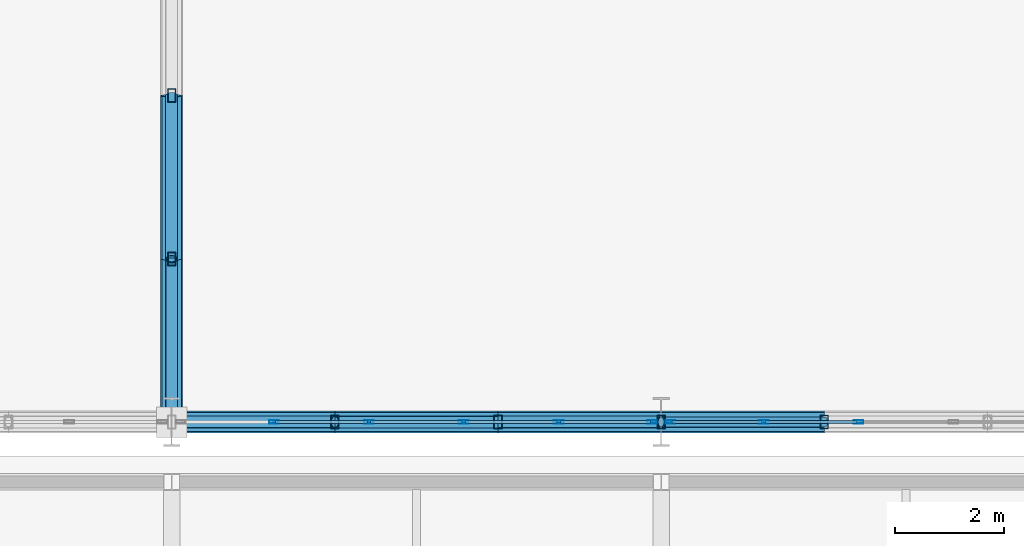
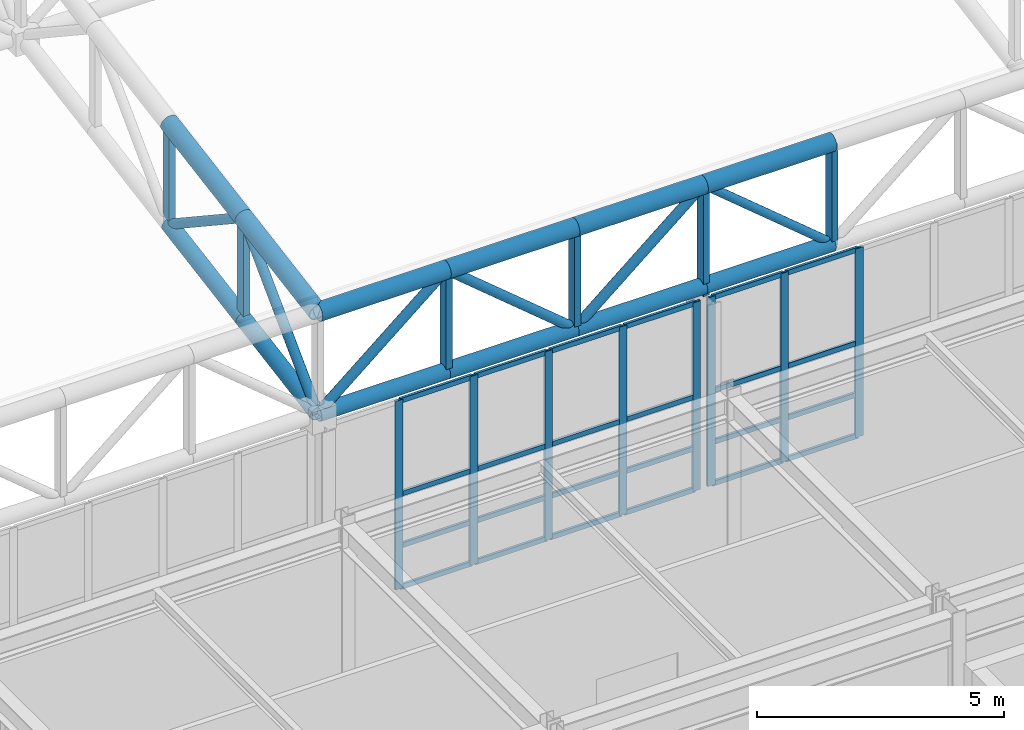
# One storey, part 35 of 239: 56 members, 2 elements without a shape of their own.
"""IFC4 building model written with IfcOpenShell, lengths in metres."""

from ifc_helpers import new_model, si_unit, direction, frame, origin, origin_2d, place, context, subcontext, project, spatial, hollow_rectangle, hollow_circle, extrude, material, material_profile, profile_set, type_object, element, aggregate, save


model = new_model("IFC4")

# Units and contexts
model_context = context("Model", 3, precision=1e-05, world=origin(), true_north=direction((0.0, 1.0)))
body_context = subcontext(model_context, "Body", "Model", "MODEL_VIEW")
ifc_project = project(units=[si_unit("LENGTHUNIT", "METRE"), si_unit("AREAUNIT", "SQUARE_METRE"), si_unit("VOLUMEUNIT", "CUBIC_METRE"), si_unit("PLANEANGLEUNIT", "RADIAN"), si_unit("MASSUNIT", "GRAM", prefix="KILO")], contexts=[model_context])

# Site, building, storey
site_placement = place(None, origin())
site = spatial("IfcSite", under=ifc_project, at=site_placement, CompositionType="ELEMENT")
building_placement = place(site_placement, origin())
building = spatial("IfcBuilding", under=site, at=building_placement, Name="Kaldris Quays Convention Centre", CompositionType="ELEMENT")
storey_placement = place(building_placement, frame((0.0, 0.0, 11.39990234375)))
storey = spatial("IfcBuildingStorey", under=building, at=storey_placement, Name="L02", CompositionType="ELEMENT", Elevation=11.39990234375)

# Curtain wall, members
ifc_material_1 = material(Name="Anodized aluminium AW-6060 and triple glazing", Category="aluminium")
curtain_wall_type = type_object("IfcCurtainWallType", Name="UNITISED CURTAIN WALL CW03", PredefinedType="NOTDEFINED", material=ifc_material_1)
curtain_wall_1_placement = place(storey_placement, origin())
curtain_wall_1 = element("IfcCurtainWall", 1, at=curtain_wall_1_placement, inside=storey, type_object=curtain_wall_type, Name="L02 Unitised Curtain Wall CW03 231", PredefinedType="NOTDEFINED")
ifc_material_2 = material(Name="Anodized aluminium AW-6060", Category="aluminium")
ifc_material_profile_1 = material_profile(ifc_material_2, hollow_rectangle(XDim=0.06005859375, YDim=0.179931640625, WallThickness=0.0048828125, at=origin_2d()), Name="RHS 180x60x5")
ifc_profile_set_1 = profile_set([ifc_material_profile_1], Name="Anodized aluminium AW-6060")
member_type_1 = type_object("IfcMemberType", Name="CURTAIN MULLION CWM2", PredefinedType="MULLION", material=ifc_profile_set_1)
member_1_placement = place(storey_placement, frame((39.884033203125, 56.0, 2.195068359375), z_axis=(0.0, 0.0, 1.0), x_axis=(0.0, 1.0, 0.0)))
member_1 = element("IfcMember", 2, at=member_1_placement, type_object=member_type_1, Name="CW03 mullion 2", PredefinedType="MULLION", context=body_context, shape_type="SweptSolid", body=[
    extrude(hollow_rectangle(XDim=0.06005859375, YDim=0.179931640625, WallThickness=0.0048828125, at=origin_2d()), origin(), (0.0, 0.0, 1.0), 4.655029296875),
])
member_2_placement = place(storey_placement, frame((41.6279296875, 56.0, 2.195068359375), z_axis=(0.0, 0.0, 1.0), x_axis=(0.0, 1.0, 0.0)))
member_2 = element("IfcMember", 3, at=member_2_placement, type_object=member_type_1, Name="CW03 mullion 3", PredefinedType="MULLION", context=body_context, shape_type="SweptSolid", body=[
    extrude(hollow_rectangle(XDim=0.06005859375, YDim=0.179931640625, WallThickness=0.0048828125, at=origin_2d()), origin(), (0.0, 0.0, 1.0), 4.655029296875),
])
member_3_placement = place(storey_placement, frame((43.3720703125, 56.0, 2.195068359375), z_axis=(0.0, 0.0, 1.0), x_axis=(0.0, 1.0, 0.0)))
member_3 = element("IfcMember", 4, at=member_3_placement, type_object=member_type_1, Name="CW03 mullion 4", PredefinedType="MULLION", context=body_context, shape_type="SweptSolid", body=[
    extrude(hollow_rectangle(XDim=0.06005859375, YDim=0.179931640625, WallThickness=0.0048828125, at=origin_2d()), origin(), (0.0, 0.0, 1.0), 4.655029296875),
])
member_4_placement = place(storey_placement, frame((45.115966796875, 56.0, 2.195068359375), z_axis=(0.0, 0.0, 1.0), x_axis=(0.0, 1.0, 0.0)))
member_4 = element("IfcMember", 5, at=member_4_placement, type_object=member_type_1, Name="CW03 mullion 5", PredefinedType="MULLION", context=body_context, shape_type="SweptSolid", body=[
    extrude(hollow_rectangle(XDim=0.06005859375, YDim=0.179931640625, WallThickness=0.0048828125, at=origin_2d()), origin(), (0.0, 0.0, 1.0), 4.655029296875),
])
member_5_placement = place(storey_placement, frame((46.830078125, 56.0, 2.195068359375), z_axis=(0.0, 0.0, 1.0), x_axis=(0.0, 1.0, 0.0)))
member_5 = element("IfcMember", 6, at=member_5_placement, type_object=member_type_1, Name="CW03 mullion 6", PredefinedType="MULLION", context=body_context, shape_type="SweptSolid", body=[
    extrude(hollow_rectangle(XDim=0.06005859375, YDim=0.179931640625, WallThickness=0.0048828125, at=origin_2d()), origin(), (0.0, 0.0, 1.0), 4.655029296875),
])

curtain_wall_2_placement = place(storey_placement, origin())
curtain_wall_2 = element("IfcCurtainWall", 7, at=curtain_wall_2_placement, inside=storey, type_object=curtain_wall_type, Name="L02 Unitised Curtain Wall CW03 233", PredefinedType="NOTDEFINED")
member_6_placement = place(storey_placement, frame((47.169921875, 56.0, 2.195068359375), z_axis=(0.0, 0.0, 1.0), x_axis=(0.0, 1.0, 0.0)))
member_6 = element("IfcMember", 8, at=member_6_placement, type_object=member_type_1, Name="CW03 mullion 1", PredefinedType="MULLION", context=body_context, shape_type="SweptSolid", body=[
    extrude(hollow_rectangle(XDim=0.06005859375, YDim=0.179931640625, WallThickness=0.0048828125, at=origin_2d()), origin(), (0.0, 0.0, 1.0), 4.655029296875),
])
member_7_placement = place(storey_placement, frame((48.884033203125, 56.0, 2.195068359375), z_axis=(0.0, 0.0, 1.0), x_axis=(0.0, 1.0, 0.0)))
member_7 = element("IfcMember", 9, at=member_7_placement, type_object=member_type_1, Name="CW03 mullion 2", PredefinedType="MULLION", context=body_context, shape_type="SweptSolid", body=[
    extrude(hollow_rectangle(XDim=0.06005859375, YDim=0.179931640625, WallThickness=0.0048828125, at=origin_2d()), origin(), (0.0, 0.0, 1.0), 4.655029296875),
])
member_8_placement = place(storey_placement, frame((50.6279296875, 56.0, 2.195068359375), z_axis=(0.0, 0.0, 1.0), x_axis=(0.0, 1.0, 0.0)))
member_8 = element("IfcMember", 10, at=member_8_placement, type_object=member_type_1, Name="CW03 mullion 3", PredefinedType="MULLION", context=body_context, shape_type="SweptSolid", body=[
    extrude(hollow_rectangle(XDim=0.06005859375, YDim=0.179931640625, WallThickness=0.0048828125, at=origin_2d()), origin(), (0.0, 0.0, 1.0), 4.655029296875),
])

# Member
ifc_material_profile_2 = material_profile(ifc_material_2, hollow_rectangle(XDim=0.06005859375, YDim=0.1201171875, WallThickness=0.00390625, at=origin_2d()), Name="RHS 120x60x4")
ifc_profile_set_2 = profile_set([ifc_material_profile_2], Name="Anodized aluminium AW-6060")
member_type_2 = type_object("IfcMemberType", Name="CURTAIN TRANSOM CWT1", PredefinedType="USERDEFINED", material=ifc_profile_set_2)
member_9_placement = place(storey_placement, frame((39.9140625, 56.0, 2.22509765625), z_axis=(1.0, 0.0, 0.0), x_axis=(0.0, 1.0, 0.0)))
member_9 = element("IfcMember", 11, at=member_9_placement, type_object=member_type_2, Name="CW03 transom 2.1", ObjectType="TRANSOM", PredefinedType="USERDEFINED", context=body_context, shape_type="SweptSolid", body=[
    extrude(hollow_rectangle(XDim=0.06005859375, YDim=0.1201171875, WallThickness=0.00390625, at=origin_2d()), origin(), (0.0, 0.0, 1.0), 1.683837890625),
])

member_10_placement = place(storey_placement, frame((39.9140625, 56.0, 3.2451171875), z_axis=(1.0, 0.0, 0.0), x_axis=(0.0, 1.0, 0.0)))
member_10 = element("IfcMember", 12, at=member_10_placement, type_object=member_type_2, Name="CW03 transom 2.2", ObjectType="TRANSOM", PredefinedType="USERDEFINED", context=body_context, shape_type="SweptSolid", body=[
    extrude(hollow_rectangle(XDim=0.06005859375, YDim=0.1201171875, WallThickness=0.00390625, at=origin_2d()), origin(), (0.0, 0.0, 1.0), 1.683837890625),
])

member_11_placement = place(storey_placement, frame((39.9140625, 56.0, 4.522216796875), z_axis=(1.0, 0.0, 0.0), x_axis=(0.0, 1.0, 0.0)))
member_11 = element("IfcMember", 13, at=member_11_placement, type_object=member_type_2, Name="CW03 transom 2.3", ObjectType="TRANSOM", PredefinedType="USERDEFINED", context=body_context, shape_type="SweptSolid", body=[
    extrude(hollow_rectangle(XDim=0.06005859375, YDim=0.1201171875, WallThickness=0.00390625, at=origin_2d()), origin(), (0.0, 0.0, 1.0), 1.683837890625),
])

member_12_placement = place(storey_placement, frame((39.9140625, 56.0, 6.820068359375), z_axis=(1.0, 0.0, 0.0), x_axis=(0.0, 1.0, 0.0)))
member_12 = element("IfcMember", 14, at=member_12_placement, type_object=member_type_2, Name="CW03 transom 2.4", ObjectType="TRANSOM", PredefinedType="USERDEFINED", context=body_context, shape_type="SweptSolid", body=[
    extrude(hollow_rectangle(XDim=0.06005859375, YDim=0.1201171875, WallThickness=0.00390625, at=origin_2d()), origin(), (0.0, 0.0, 1.0), 1.683837890625),
])

member_13_placement = place(storey_placement, frame((41.657958984375, 56.0, 2.22509765625), z_axis=(1.0, 0.0, 0.0), x_axis=(0.0, 1.0, 0.0)))
member_13 = element("IfcMember", 15, at=member_13_placement, type_object=member_type_2, Name="CW03 transom 3.1", ObjectType="TRANSOM", PredefinedType="USERDEFINED", context=body_context, shape_type="SweptSolid", body=[
    extrude(hollow_rectangle(XDim=0.06005859375, YDim=0.1201171875, WallThickness=0.00390625, at=origin_2d()), origin(), (0.0, 0.0, 1.0), 1.68408203125),
])

member_14_placement = place(storey_placement, frame((41.657958984375, 56.0, 3.2451171875), z_axis=(1.0, 0.0, 0.0), x_axis=(0.0, 1.0, 0.0)))
member_14 = element("IfcMember", 16, at=member_14_placement, type_object=member_type_2, Name="CW03 transom 3.2", ObjectType="TRANSOM", PredefinedType="USERDEFINED", context=body_context, shape_type="SweptSolid", body=[
    extrude(hollow_rectangle(XDim=0.06005859375, YDim=0.1201171875, WallThickness=0.00390625, at=origin_2d()), origin(), (0.0, 0.0, 1.0), 1.68408203125),
])

member_15_placement = place(storey_placement, frame((41.657958984375, 56.0, 4.522216796875), z_axis=(1.0, 0.0, 0.0), x_axis=(0.0, 1.0, 0.0)))
member_15 = element("IfcMember", 17, at=member_15_placement, type_object=member_type_2, Name="CW03 transom 3.3", ObjectType="TRANSOM", PredefinedType="USERDEFINED", context=body_context, shape_type="SweptSolid", body=[
    extrude(hollow_rectangle(XDim=0.06005859375, YDim=0.1201171875, WallThickness=0.00390625, at=origin_2d()), origin(), (0.0, 0.0, 1.0), 1.68408203125),
])

member_16_placement = place(storey_placement, frame((41.657958984375, 56.0, 6.820068359375), z_axis=(1.0, 0.0, 0.0), x_axis=(0.0, 1.0, 0.0)))
member_16 = element("IfcMember", 18, at=member_16_placement, type_object=member_type_2, Name="CW03 transom 3.4", ObjectType="TRANSOM", PredefinedType="USERDEFINED", context=body_context, shape_type="SweptSolid", body=[
    extrude(hollow_rectangle(XDim=0.06005859375, YDim=0.1201171875, WallThickness=0.00390625, at=origin_2d()), origin(), (0.0, 0.0, 1.0), 1.68408203125),
])

member_17_placement = place(storey_placement, frame((43.402099609375, 56.0, 2.22509765625), z_axis=(1.0, 0.0, 0.0), x_axis=(0.0, 1.0, 0.0)))
member_17 = element("IfcMember", 19, at=member_17_placement, type_object=member_type_2, Name="CW03 transom 4.1", ObjectType="TRANSOM", PredefinedType="USERDEFINED", context=body_context, shape_type="SweptSolid", body=[
    extrude(hollow_rectangle(XDim=0.06005859375, YDim=0.1201171875, WallThickness=0.00390625, at=origin_2d()), origin(), (0.0, 0.0, 1.0), 1.683837890625),
])

member_18_placement = place(storey_placement, frame((43.402099609375, 56.0, 3.2451171875), z_axis=(1.0, 0.0, 0.0), x_axis=(0.0, 1.0, 0.0)))
member_18 = element("IfcMember", 20, at=member_18_placement, type_object=member_type_2, Name="CW03 transom 4.2", ObjectType="TRANSOM", PredefinedType="USERDEFINED", context=body_context, shape_type="SweptSolid", body=[
    extrude(hollow_rectangle(XDim=0.06005859375, YDim=0.1201171875, WallThickness=0.00390625, at=origin_2d()), origin(), (0.0, 0.0, 1.0), 1.683837890625),
])

member_19_placement = place(storey_placement, frame((43.402099609375, 56.0, 4.522216796875), z_axis=(1.0, 0.0, 0.0), x_axis=(0.0, 1.0, 0.0)))
member_19 = element("IfcMember", 21, at=member_19_placement, type_object=member_type_2, Name="CW03 transom 4.3", ObjectType="TRANSOM", PredefinedType="USERDEFINED", context=body_context, shape_type="SweptSolid", body=[
    extrude(hollow_rectangle(XDim=0.06005859375, YDim=0.1201171875, WallThickness=0.00390625, at=origin_2d()), origin(), (0.0, 0.0, 1.0), 1.683837890625),
])

member_20_placement = place(storey_placement, frame((43.402099609375, 56.0, 6.820068359375), z_axis=(1.0, 0.0, 0.0), x_axis=(0.0, 1.0, 0.0)))
member_20 = element("IfcMember", 22, at=member_20_placement, type_object=member_type_2, Name="CW03 transom 4.4", ObjectType="TRANSOM", PredefinedType="USERDEFINED", context=body_context, shape_type="SweptSolid", body=[
    extrude(hollow_rectangle(XDim=0.06005859375, YDim=0.1201171875, WallThickness=0.00390625, at=origin_2d()), origin(), (0.0, 0.0, 1.0), 1.683837890625),
])

member_21_placement = place(storey_placement, frame((45.14599609375, 56.0, 2.22509765625), z_axis=(1.0, 0.0, 0.0), x_axis=(0.0, 1.0, 0.0)))
member_21 = element("IfcMember", 23, at=member_21_placement, type_object=member_type_2, Name="CW03 transom 5.1", ObjectType="TRANSOM", PredefinedType="USERDEFINED", context=body_context, shape_type="SweptSolid", body=[
    extrude(hollow_rectangle(XDim=0.06005859375, YDim=0.1201171875, WallThickness=0.00390625, at=origin_2d()), origin(), (0.0, 0.0, 1.0), 1.654052734375),
])

member_22_placement = place(storey_placement, frame((45.14599609375, 56.0, 3.2451171875), z_axis=(1.0, 0.0, 0.0), x_axis=(0.0, 1.0, 0.0)))
member_22 = element("IfcMember", 24, at=member_22_placement, type_object=member_type_2, Name="CW03 transom 5.2", ObjectType="TRANSOM", PredefinedType="USERDEFINED", context=body_context, shape_type="SweptSolid", body=[
    extrude(hollow_rectangle(XDim=0.06005859375, YDim=0.1201171875, WallThickness=0.00390625, at=origin_2d()), origin(), (0.0, 0.0, 1.0), 1.654052734375),
])

member_23_placement = place(storey_placement, frame((45.14599609375, 56.0, 4.522216796875), z_axis=(1.0, 0.0, 0.0), x_axis=(0.0, 1.0, 0.0)))
member_23 = element("IfcMember", 25, at=member_23_placement, type_object=member_type_2, Name="CW03 transom 5.3", ObjectType="TRANSOM", PredefinedType="USERDEFINED", context=body_context, shape_type="SweptSolid", body=[
    extrude(hollow_rectangle(XDim=0.06005859375, YDim=0.1201171875, WallThickness=0.00390625, at=origin_2d()), origin(), (0.0, 0.0, 1.0), 1.654052734375),
])

member_24_placement = place(storey_placement, frame((45.14599609375, 56.0, 6.820068359375), z_axis=(1.0, 0.0, 0.0), x_axis=(0.0, 1.0, 0.0)))
member_24 = element("IfcMember", 26, at=member_24_placement, type_object=member_type_2, Name="CW03 transom 5.4", ObjectType="TRANSOM", PredefinedType="USERDEFINED", context=body_context, shape_type="SweptSolid", body=[
    extrude(hollow_rectangle(XDim=0.06005859375, YDim=0.1201171875, WallThickness=0.00390625, at=origin_2d()), origin(), (0.0, 0.0, 1.0), 1.654052734375),
])

aggregate(curtain_wall_1, [member_1, member_2, member_3, member_4, member_5, member_9, member_10, member_11, member_12, member_13, member_14, member_15, member_16, member_17, member_18, member_19, member_20, member_21, member_22, member_23, member_24])

member_25_placement = place(storey_placement, frame((47.199951171875, 56.0, 2.22509765625), z_axis=(1.0, 0.0, 0.0), x_axis=(0.0, 1.0, 0.0)))
member_25 = element("IfcMember", 27, at=member_25_placement, type_object=member_type_2, Name="CW03 transom 1.1", ObjectType="TRANSOM", PredefinedType="USERDEFINED", context=body_context, shape_type="SweptSolid", body=[
    extrude(hollow_rectangle(XDim=0.06005859375, YDim=0.1201171875, WallThickness=0.00390625, at=origin_2d()), origin(), (0.0, 0.0, 1.0), 1.654052734375),
])

member_26_placement = place(storey_placement, frame((47.199951171875, 56.0, 3.2451171875), z_axis=(1.0, 0.0, 0.0), x_axis=(0.0, 1.0, 0.0)))
member_26 = element("IfcMember", 28, at=member_26_placement, type_object=member_type_2, Name="CW03 transom 1.2", ObjectType="TRANSOM", PredefinedType="USERDEFINED", context=body_context, shape_type="SweptSolid", body=[
    extrude(hollow_rectangle(XDim=0.06005859375, YDim=0.1201171875, WallThickness=0.00390625, at=origin_2d()), origin(), (0.0, 0.0, 1.0), 1.654052734375),
])

member_27_placement = place(storey_placement, frame((47.199951171875, 56.0, 4.522216796875), z_axis=(1.0, 0.0, 0.0), x_axis=(0.0, 1.0, 0.0)))
member_27 = element("IfcMember", 29, at=member_27_placement, type_object=member_type_2, Name="CW03 transom 1.3", ObjectType="TRANSOM", PredefinedType="USERDEFINED", context=body_context, shape_type="SweptSolid", body=[
    extrude(hollow_rectangle(XDim=0.06005859375, YDim=0.1201171875, WallThickness=0.00390625, at=origin_2d()), origin(), (0.0, 0.0, 1.0), 1.654052734375),
])

member_28_placement = place(storey_placement, frame((47.199951171875, 56.0, 6.820068359375), z_axis=(1.0, 0.0, 0.0), x_axis=(0.0, 1.0, 0.0)))
member_28 = element("IfcMember", 30, at=member_28_placement, type_object=member_type_2, Name="CW03 transom 1.4", ObjectType="TRANSOM", PredefinedType="USERDEFINED", context=body_context, shape_type="SweptSolid", body=[
    extrude(hollow_rectangle(XDim=0.06005859375, YDim=0.1201171875, WallThickness=0.00390625, at=origin_2d()), origin(), (0.0, 0.0, 1.0), 1.654052734375),
])

member_29_placement = place(storey_placement, frame((48.9140625, 56.0, 2.22509765625), z_axis=(1.0, 0.0, 0.0), x_axis=(0.0, 1.0, 0.0)))
member_29 = element("IfcMember", 31, at=member_29_placement, type_object=member_type_2, Name="CW03 transom 2.1", ObjectType="TRANSOM", PredefinedType="USERDEFINED", context=body_context, shape_type="SweptSolid", body=[
    extrude(hollow_rectangle(XDim=0.06005859375, YDim=0.1201171875, WallThickness=0.00390625, at=origin_2d()), origin(), (0.0, 0.0, 1.0), 1.683837890625),
])

member_30_placement = place(storey_placement, frame((48.9140625, 56.0, 3.2451171875), z_axis=(1.0, 0.0, 0.0), x_axis=(0.0, 1.0, 0.0)))
member_30 = element("IfcMember", 32, at=member_30_placement, type_object=member_type_2, Name="CW03 transom 2.2", ObjectType="TRANSOM", PredefinedType="USERDEFINED", context=body_context, shape_type="SweptSolid", body=[
    extrude(hollow_rectangle(XDim=0.06005859375, YDim=0.1201171875, WallThickness=0.00390625, at=origin_2d()), origin(), (0.0, 0.0, 1.0), 1.683837890625),
])

member_31_placement = place(storey_placement, frame((48.9140625, 56.0, 4.522216796875), z_axis=(1.0, 0.0, 0.0), x_axis=(0.0, 1.0, 0.0)))
member_31 = element("IfcMember", 33, at=member_31_placement, type_object=member_type_2, Name="CW03 transom 2.3", ObjectType="TRANSOM", PredefinedType="USERDEFINED", context=body_context, shape_type="SweptSolid", body=[
    extrude(hollow_rectangle(XDim=0.06005859375, YDim=0.1201171875, WallThickness=0.00390625, at=origin_2d()), origin(), (0.0, 0.0, 1.0), 1.683837890625),
])

member_32_placement = place(storey_placement, frame((48.9140625, 56.0, 6.820068359375), z_axis=(1.0, 0.0, 0.0), x_axis=(0.0, 1.0, 0.0)))
member_32 = element("IfcMember", 34, at=member_32_placement, type_object=member_type_2, Name="CW03 transom 2.4", ObjectType="TRANSOM", PredefinedType="USERDEFINED", context=body_context, shape_type="SweptSolid", body=[
    extrude(hollow_rectangle(XDim=0.06005859375, YDim=0.1201171875, WallThickness=0.00390625, at=origin_2d()), origin(), (0.0, 0.0, 1.0), 1.683837890625),
])

aggregate(curtain_wall_2, [member_6, member_7, member_8, member_25, member_26, member_27, member_28, member_29, member_30, member_31, member_32])

# Members
ifc_material_3 = material(Name="Steel S355J2H", Category="steel")
ifc_material_profile_3 = material_profile(ifc_material_3, hollow_circle(Radius=0.203125, WallThickness=0.01611328125, at=origin_2d()), Name="CHS 406.4x16")
ifc_profile_set_3 = profile_set([ifc_material_profile_3], Name="Steel S355J2H")
member_type_3 = type_object("IfcMemberType", Name="STRUCTURAL MEMBER SC01", PredefinedType="CHORD", material=ifc_profile_set_3)
for number, where, z_axis, x_axis, name in (
    (35, (38.0, 56.0, 9.671875), (1.0, 0.0, 0.0), (0.0, 1.0, 0.0), "SF-V1 Top Chord X 7"),
    (36, (41.0, 56.0, 9.671875), (1.0, 0.0, 0.0), (0.0, 1.0, 0.0), "SF-V1 Top Chord X 8"),
    (37, (44.0, 56.0, 9.671875), (1.0, 0.0, 0.0), (0.0, 1.0, 0.0), "SF-V1 Top Chord X 9"),
    (38, (47.0, 56.0, 9.671875), (1.0, 0.0, 0.0), (0.0, 1.0, 0.0), "SF-V1 Top Chord X 10"),
):
    element("IfcMember", number, at=place(storey_placement, frame(where, z_axis=z_axis, x_axis=x_axis)), inside=storey, type_object=member_type_3, Name=name, PredefinedType="CHORD", context=body_context, shape_type="SweptSolid", body=[
        extrude(hollow_circle(Radius=0.203125, WallThickness=0.01611328125, at=origin_2d()), origin(), (0.0, 0.0, 1.0), 3.0),
    ])
for number, where, z_axis, x_axis, name in (
    (39, (38.0, 56.0, 9.671875), (0.0, 0.985615766076, 0.169001661712), (-1.0, 0.0, 0.0), "SF-V1 Top Chord Y 365"),
    (40, (38.0, 59.0, 10.186279296875), (0.0, 0.98562912375, 0.168923741424), (-1.0, 0.0, 0.0), "SF-V1 Top Chord Y 366"),
):
    element("IfcMember", number, at=place(storey_placement, frame(where, z_axis=z_axis, x_axis=x_axis)), inside=storey, type_object=member_type_3, Name=name, PredefinedType="CHORD", context=body_context, shape_type="SweptSolid", body=[
        extrude(hollow_circle(Radius=0.203125, WallThickness=0.01611328125, at=origin_2d()), origin(), (0.0, 0.0, 1.0), 3.043701171875),
    ])
ifc_material_profile_4 = material_profile(ifc_material_3, hollow_circle(Radius=0.177734375, WallThickness=0.01611328125, at=origin_2d()), Name="CHS 355.6x16")
ifc_profile_set_4 = profile_set([ifc_material_profile_4], Name="Steel S355J2H")
member_type_4 = type_object("IfcMemberType", Name="STRUCTURAL MEMBER SC02", PredefinedType="CHORD", material=ifc_profile_set_4)
for number, where, z_axis, x_axis, name in (
    (41, (38.0, 56.0, 7.171875), (1.0, 0.0, 0.0), (0.0, 1.0, 0.0), "SF-V1 Bottom Chord X 7"),
    (42, (41.0, 56.0, 7.171875), (1.0, 0.0, 0.0), (0.0, 1.0, 0.0), "SF-V1 Bottom Chord X 8"),
    (43, (44.0, 56.0, 7.171875), (1.0, 0.0, 0.0), (0.0, 1.0, 0.0), "SF-V1 Bottom Chord X 9"),
    (44, (47.0, 56.0, 7.171875), (1.0, 0.0, 0.0), (0.0, 1.0, 0.0), "SF-V1 Bottom Chord X 10"),
):
    element("IfcMember", number, at=place(storey_placement, frame(where, z_axis=z_axis, x_axis=x_axis)), inside=storey, type_object=member_type_4, Name=name, PredefinedType="CHORD", context=body_context, shape_type="SweptSolid", body=[
        extrude(hollow_circle(Radius=0.177734375, WallThickness=0.01611328125, at=origin_2d()), origin(), (0.0, 0.0, 1.0), 3.0),
    ])
for number, where, z_axis, x_axis, name in (
    (45, (38.0, 56.0, 7.171875), (0.0, 0.985615766076, 0.169001661712), (-1.0, 0.0, 0.0), "SF-V1 Bottom Chord Y 365"),
    (46, (38.0, 59.0, 7.686279296875), (0.0, 0.98562912375, 0.168923741424), (-1.0, 0.0, 0.0), "SF-V1 Bottom Chord Y 366"),
):
    element("IfcMember", number, at=place(storey_placement, frame(where, z_axis=z_axis, x_axis=x_axis)), inside=storey, type_object=member_type_4, Name=name, PredefinedType="CHORD", context=body_context, shape_type="SweptSolid", body=[
        extrude(hollow_circle(Radius=0.177734375, WallThickness=0.01611328125, at=origin_2d()), origin(), (0.0, 0.0, 1.0), 3.043701171875),
    ])
ifc_material_profile_5 = material_profile(ifc_material_3, hollow_circle(Radius=0.109619140625, WallThickness=0.010009765625, at=origin_2d()), Name="CHS 219.1x10")
ifc_profile_set_5 = profile_set([ifc_material_profile_5], Name="Steel S355J2H")
member_type_5 = type_object("IfcMemberType", Name="STRUCTURAL MEMBER SWB1", PredefinedType="BRACE", material=ifc_profile_set_5)
for number, where, z_axis, x_axis, name in (
    (47, (38.0, 56.0, 7.171875), (0.768221279597, 0.0, 0.640184399664), (0.0, 1.0, 0.0), "SF-V1 Web Diagonal X 7"),
    (48, (44.0, 56.0, 7.171875), (-0.768221279597, 0.0, 0.640184399664), (0.0, -1.0, 0.0), "SF-V1 Web Diagonal X 8"),
    (49, (44.0, 56.0, 7.171875), (0.768221279597, 0.0, 0.640184399664), (0.0, 1.0, 0.0), "SF-V1 Web Diagonal X 9"),
):
    element("IfcMember", number, at=place(storey_placement, frame(where, z_axis=z_axis, x_axis=x_axis)), inside=storey, type_object=member_type_5, Name=name, PredefinedType="BRACE", context=body_context, shape_type="SweptSolid", body=[
        extrude(hollow_circle(Radius=0.109619140625, WallThickness=0.010009765625, at=origin_2d()), origin(), (0.0, 0.0, 1.0), 3.905029296875),
    ])
member_33_placement = place(storey_placement, frame((38.0, 56.0, 7.171875), z_axis=(0.0, 0.705411261057, 0.708798245465), x_axis=(-1.0, 0.0, 0.0)))
element("IfcMember", 50, at=member_33_placement, inside=storey, type_object=member_type_5, Name="SF-V1 Web Diagonal Y 365", PredefinedType="BRACE", context=body_context, shape_type="SweptSolid", body=[
    extrude(hollow_circle(Radius=0.109619140625, WallThickness=0.010009765625, at=origin_2d()), origin(), (0.0, 0.0, 1.0), 4.2529296875),
])
member_34_placement = place(storey_placement, frame((38.0, 62.0, 8.200439453125), z_axis=(0.0, -0.833862389808, 0.551972385962), x_axis=(1.0, 0.0, 0.0)))
element("IfcMember", 51, at=member_34_placement, inside=storey, type_object=member_type_5, Name="SF-V1 Web Diagonal Y 366", PredefinedType="BRACE", context=body_context, shape_type="SweptSolid", body=[
    extrude(hollow_circle(Radius=0.109619140625, WallThickness=0.010009765625, at=origin_2d()), origin(), (0.0, 0.0, 1.0), 3.59765625),
])
ifc_material_profile_6 = material_profile(ifc_material_3, hollow_circle(Radius=0.096923828125, WallThickness=0.008056640625, at=origin_2d()), Name="CHS 193.7x8")
ifc_profile_set_6 = profile_set([ifc_material_profile_6], Name="Steel S355J2H")
member_type_6 = type_object("IfcMemberType", Name="STRUCTURAL MEMBER SWB3", PredefinedType="BRACE", material=ifc_profile_set_6)
member_35_placement = place(storey_placement, frame((50.0, 56.0, 7.171875), z_axis=(-0.768221279597, 0.0, 0.640184399664), x_axis=(0.0, -1.0, 0.0)))
element("IfcMember", 52, at=member_35_placement, inside=storey, type_object=member_type_6, Name="SF-V1 Web Diagonal X 10", PredefinedType="BRACE", context=body_context, shape_type="SweptSolid", body=[
    extrude(hollow_circle(Radius=0.096923828125, WallThickness=0.008056640625, at=origin_2d()), origin(), (0.0, 0.0, 1.0), 3.905029296875),
])
ifc_material_profile_7 = material_profile(ifc_material_3, hollow_rectangle(XDim=0.14990234375, YDim=0.25, WallThickness=0.010009765625, at=origin_2d()), Name="RHS 250x150x10")
ifc_profile_set_7 = profile_set([ifc_material_profile_7], Name="Steel S355J2H")
member_type_7 = type_object("IfcMemberType", Name="STRUCTURAL MEMBER TTV1", PredefinedType="POST", material=ifc_profile_set_7)
for number, where, z_axis, x_axis, name in (
    (53, (38.0, 59.0, 7.686279296875), (0.0, 0.0, 1.0), (1.0, 0.0, 0.0), "SF-V1 Space-Frame Post 71"),
    (54, (38.0, 62.0, 8.200439453125), (0.0, 0.0, 1.0), (1.0, 0.0, 0.0), "SF-V1 Space-Frame Post 72"),
    (55, (41.0, 56.0, 7.171875), (0.0, 0.0, 1.0), (1.0, 0.0, 0.0), "SF-V1 Space-Frame Post 99"),
    (56, (44.0, 56.0, 7.171875), (0.0, 0.0, 1.0), (1.0, 0.0, 0.0), "SF-V1 Space-Frame Post 107"),
):
    element("IfcMember", number, at=place(storey_placement, frame(where, z_axis=z_axis, x_axis=x_axis)), inside=storey, type_object=member_type_7, Name=name, PredefinedType="POST", context=body_context, shape_type="SweptSolid", body=[
        extrude(hollow_rectangle(XDim=0.14990234375, YDim=0.25, WallThickness=0.010009765625, at=origin_2d()), origin(), (0.0, 0.0, 1.0), 2.5),
    ])
member_36_placement = place(storey_placement, frame((47.0, 56.0, 6.994140625), z_axis=(0.0, 0.0, 1.0), x_axis=(1.0, 0.0, 0.0)))
element("IfcMember", 57, at=member_36_placement, inside=storey, type_object=member_type_7, Name="SF-V1 Space-Frame Post 115", PredefinedType="POST", context=body_context, shape_type="SweptSolid", body=[
    extrude(hollow_rectangle(XDim=0.14990234375, YDim=0.25, WallThickness=0.010009765625, at=origin_2d()), origin(), (0.0, 0.0, 1.0), 2.677734375),
])
member_37_placement = place(storey_placement, frame((50.0, 56.0, 7.171875), z_axis=(0.0, 0.0, 1.0), x_axis=(1.0, 0.0, 0.0)))
element("IfcMember", 58, at=member_37_placement, inside=storey, type_object=member_type_7, Name="SF-V1 Space-Frame Post 123", PredefinedType="POST", context=body_context, shape_type="SweptSolid", body=[
    extrude(hollow_rectangle(XDim=0.14990234375, YDim=0.25, WallThickness=0.010009765625, at=origin_2d()), origin(), (0.0, 0.0, 1.0), 2.5),
])

save(model, "model.ifc")
